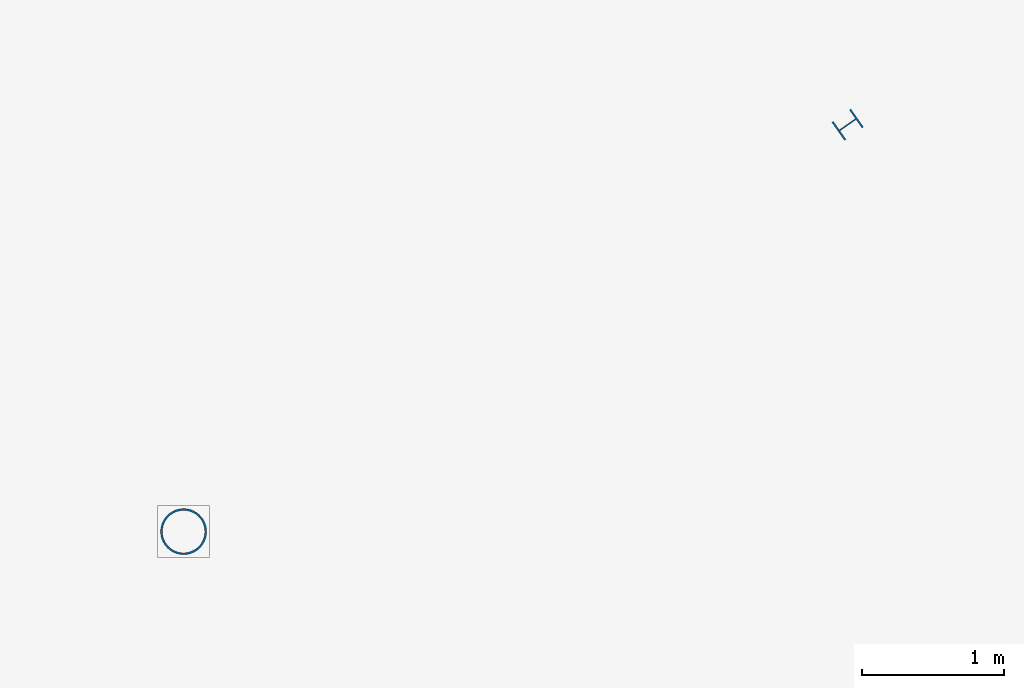
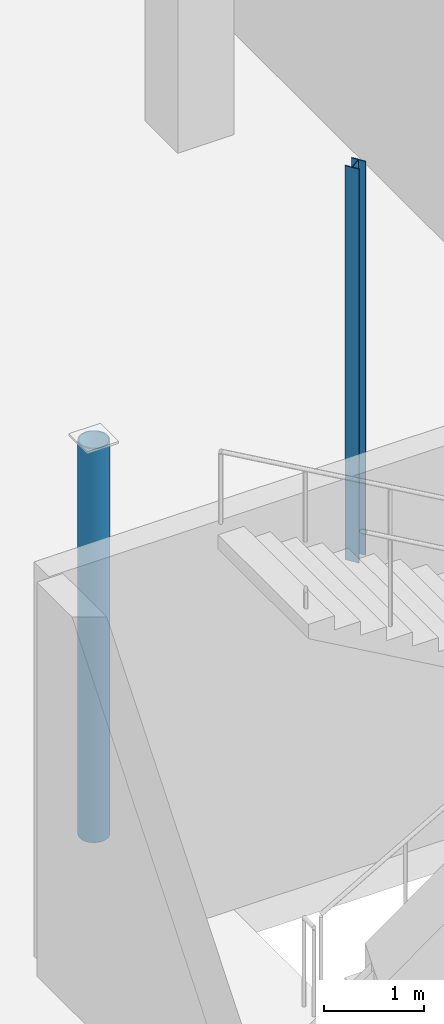
# One storey, part 16 of 199: 2 columns.
"""IFC4 building model written with IfcOpenShell, lengths in metres."""

from ifc_helpers import new_model, si_unit, direction, frame, origin, origin_2d, place, context, subcontext, project, spatial, hollow_circle, i_section, extrude, material, material_profile, profile_set, type_object, element, save


model = new_model("IFC4")

# Units and contexts
model_context = context("Model", 3, precision=1e-05, world=origin(), true_north=direction((0.0, 1.0)))
body_context = subcontext(model_context, "Body", "Model", "MODEL_VIEW")
ifc_project = project(units=[si_unit("LENGTHUNIT", "METRE"), si_unit("AREAUNIT", "SQUARE_METRE"), si_unit("VOLUMEUNIT", "CUBIC_METRE"), si_unit("PLANEANGLEUNIT", "RADIAN"), si_unit("MASSUNIT", "GRAM", prefix="KILO")], contexts=[model_context])

# Site, building, storey
site_placement = place(None, origin())
site = spatial("IfcSite", under=ifc_project, at=site_placement, CompositionType="ELEMENT")
building_placement = place(site_placement, origin())
building = spatial("IfcBuilding", under=site, at=building_placement, Name="Tarnwether General Hospital", CompositionType="ELEMENT")
storey_placement = place(building_placement, origin())
storey = spatial("IfcBuildingStorey", under=building, at=storey_placement, Name="L00", CompositionType="ELEMENT", Elevation=0.0)

# Columns
ifc_material_1 = material(Name="Steel Grade C350L0 (350 MPa)", Category="steel")
ifc_material_profile_1 = material_profile(ifc_material_1, hollow_circle(Radius=0.161865234375, WallThickness=0.0126953125, at=origin_2d()), Name="CHS323.9x12.7")
ifc_profile_set_1 = profile_set([ifc_material_profile_1], Name="Steel Grade C350L0 (350 MPa)")
column_type_1 = type_object("IfcColumnType", Name="COL-26", PredefinedType="COLUMN", material=ifc_profile_set_1)
column_1_placement = place(storey_placement, frame((113.031982421875, 23.444091796875, 0.0), z_axis=(0.0, 0.0, 1.0), x_axis=(-0.469471562786, 0.882947592859, 0.0)))
element("IfcColumn", 1, at=column_1_placement, inside=storey, type_object=column_type_1, Name="Column COLG-L00-11303_2344", PredefinedType="COLUMN", context=body_context, shape_type="SweptSolid", body=[
    extrude(hollow_circle(Radius=0.161865234375, WallThickness=0.0126953125, at=origin_2d()), origin(), (0.0, 0.0, 1.0), 4.800048828125),
])
ifc_material_2 = material(Name="Steel Grade 350 (350 MPa)", Category="steel")
ifc_material_profile_2 = material_profile(ifc_material_2, i_section(OverallWidth=0.154052734375, OverallDepth=0.162109375, WebThickness=0.008056640625, FlangeThickness=0.011474609375, at=origin_2d()), Name="150UC37.2")
ifc_profile_set_2 = profile_set([ifc_material_profile_2], Name="Steel Grade 350 (350 MPa)")
column_type_2 = type_object("IfcColumnType", Name="COL-28", PredefinedType="COLUMN", material=ifc_profile_set_2)
column_2_placement = place(storey_placement, frame((117.696044921875, 26.302001953125, 0.0), z_axis=(0.0, 0.0, 1.0), x_axis=(-0.573576436351, 0.819152044289, 0.0)))
element("IfcColumn", 2, at=column_2_placement, inside=storey, type_object=column_type_2, Name="Column COLG-L00-11770_2630", PredefinedType="COLUMN", context=body_context, shape_type="SweptSolid", body=[
    extrude(i_section(OverallWidth=0.154052734375, OverallDepth=0.162109375, WebThickness=0.008056640625, FlangeThickness=0.011474609375, at=origin_2d()), origin(), (0.0, 0.0, 1.0), 4.800048828125),
])

save(model, "model.ifc")
